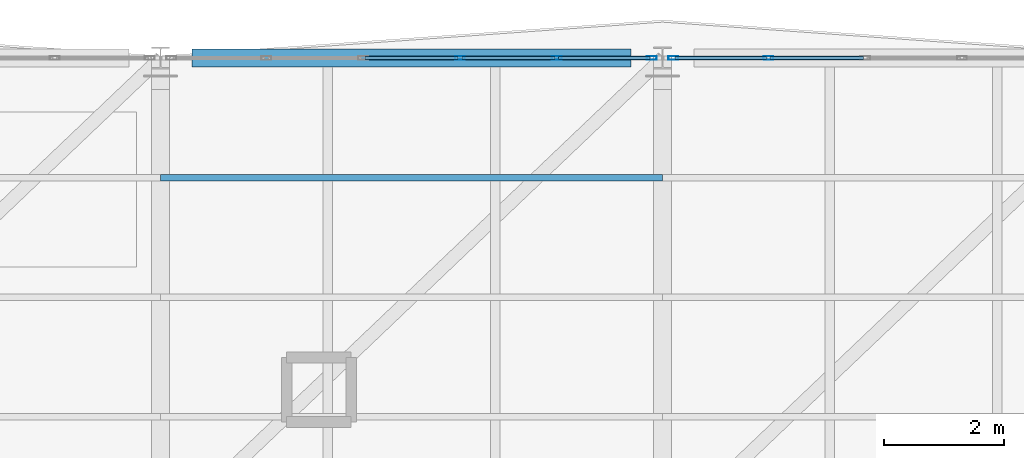
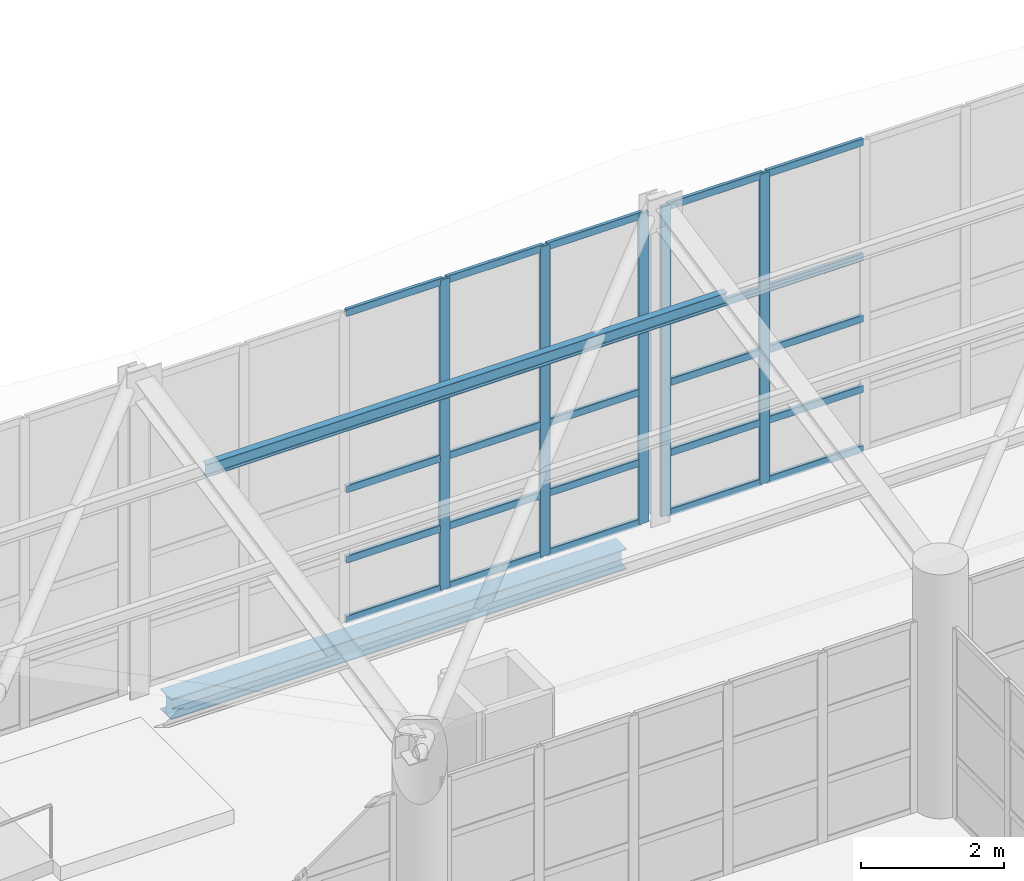
# One storey, part 103 of 177: 31 members, 1 beam, 2 elements without a shape of their own.
"""IFC4 building model written with IfcOpenShell, lengths in metres."""

from ifc_helpers import new_model, si_unit, direction, frame, origin, origin_2d, place, context, subcontext, project, spatial, hollow_rectangle, i_section, extrude, material, layer, layer_set, material_profile, profile_set, type_object, element, aggregate, save


model = new_model("IFC4")

# Units and contexts
model_context = context("Model", 3, precision=1e-05, world=origin(), true_north=direction((0.0, 1.0)))
body_context = subcontext(model_context, "Body", "Model", "MODEL_VIEW")
ifc_project = project(units=[si_unit("LENGTHUNIT", "METRE"), si_unit("AREAUNIT", "SQUARE_METRE"), si_unit("VOLUMEUNIT", "CUBIC_METRE"), si_unit("PLANEANGLEUNIT", "RADIAN"), si_unit("MASSUNIT", "GRAM", prefix="KILO"), si_unit("THERMODYNAMICTEMPERATUREUNIT", "KELVIN"), si_unit("POWERUNIT", "WATT")], contexts=[model_context])

# Site, building, storey
site_placement = place(None, origin())
site = spatial("IfcSite", under=ifc_project, at=site_placement, CompositionType="ELEMENT")
building_placement = place(site_placement, origin())
building = spatial("IfcBuilding", under=site, at=building_placement, Name="Mavoryth Pier Ferry Terminal", CompositionType="ELEMENT")
storey_placement = place(building_placement, frame((0.0, 0.0, 5.43994140625)))
storey = spatial("IfcBuildingStorey", under=building, at=storey_placement, Name="L01", CompositionType="ELEMENT", Elevation=5.43994140625)

# Curtain wall, members
ifc_material_1 = material(Name="Anodised Aluminium and Solar-Control Low-E Glass", Category="aluminium")
ifc_layer = layer(ifc_material_1, 0.139892578125, Name="Anodised Aluminium and Solar-Control Low-E Glass", Category="aluminium")
ifc_layer_set = layer_set([ifc_layer], Name="Anodised Aluminium and Solar-Control Low-E Glass - CW-Gallery-Mod1600")
curtain_wall_type = type_object("IfcCurtainWallType", Name="CW-Gallery-Mod1600", PredefinedType="USERDEFINED", material=ifc_layer_set)
curtain_wall_1_placement = place(storey_placement, origin())
curtain_wall_1 = element("IfcCurtainWall", 1, at=curtain_wall_1_placement, inside=storey, type_object=curtain_wall_type, Name="Curtain Wall CW-0122-081", ObjectType="UNITISED CURTAIN WALL", PredefinedType="USERDEFINED")
ifc_material_2 = material(Name="Anodised Aluminium EN AW-6063", Category="aluminium")
ifc_material_profile_1 = material_profile(ifc_material_2, hollow_rectangle(XDim=0.06005859375, YDim=0.1650390625, WallThickness=0.00390625, InnerFilletRadius=0.00390625, OuterFilletRadius=0.008056640625, at=origin_2d()), Name="AL-MULL 165x60x4", Category="aluminium")
ifc_profile_set_1 = profile_set([ifc_material_profile_1], Name="Anodised Aluminium EN AW-6063 - AL-MULL 165x60x4")
member_type_1 = type_object("IfcMemberType", Name="Mullion-Alum-165x60", PredefinedType="MULLION", material=ifc_profile_set_1)
member_1_placement = place(storey_placement, frame((92.219970703125, 114.0, 0.0), z_axis=(0.0, 0.0, 1.0), x_axis=(0.0, -1.0, 0.0)))
member_1 = element("IfcMember", 2, at=member_1_placement, type_object=member_type_1, Name="CW05 mullion 1", PredefinedType="MULLION", context=body_context, shape_type="SweptSolid", body=[
    extrude(hollow_rectangle(XDim=0.06005859375, YDim=0.1650390625, WallThickness=0.00390625, InnerFilletRadius=0.00390625, OuterFilletRadius=0.008056640625, at=origin_2d()), origin(), (0.0, 0.0, 1.0), 5.28759765625),
])
member_2_placement = place(storey_placement, frame((90.6298828125, 114.0, 0.0), z_axis=(0.0, 0.0, 1.0), x_axis=(0.0, -1.0, 0.0)))
member_2 = element("IfcMember", 3, at=member_2_placement, type_object=member_type_1, Name="CW05 mullion 2", PredefinedType="MULLION", context=body_context, shape_type="SweptSolid", body=[
    extrude(hollow_rectangle(XDim=0.06005859375, YDim=0.1650390625, WallThickness=0.00390625, InnerFilletRadius=0.00390625, OuterFilletRadius=0.008056640625, at=origin_2d()), origin(), (0.0, 0.0, 1.0), 5.28759765625),
])
member_3_placement = place(storey_placement, frame((89.010009765625, 114.0, 0.0), z_axis=(0.0, 0.0, 1.0), x_axis=(0.0, -1.0, 0.0)))
member_3 = element("IfcMember", 4, at=member_3_placement, type_object=member_type_1, Name="CW05 mullion 3", PredefinedType="MULLION", context=body_context, shape_type="SweptSolid", body=[
    extrude(hollow_rectangle(XDim=0.06005859375, YDim=0.1650390625, WallThickness=0.00390625, InnerFilletRadius=0.00390625, OuterFilletRadius=0.008056640625, at=origin_2d()), origin(), (0.0, 0.0, 1.0), 5.28759765625),
])

curtain_wall_2_placement = place(storey_placement, origin())
curtain_wall_2 = element("IfcCurtainWall", 5, at=curtain_wall_2_placement, inside=storey, type_object=curtain_wall_type, Name="Curtain Wall CW-0122-082", ObjectType="UNITISED CURTAIN WALL", PredefinedType="USERDEFINED")
member_4_placement = place(storey_placement, frame((94.169921875, 114.0, 0.0), z_axis=(0.0, 0.0, 1.0), x_axis=(0.0, -1.0, 0.0)))
member_4 = element("IfcMember", 6, at=member_4_placement, type_object=member_type_1, Name="CW05 mullion 5", PredefinedType="MULLION", context=body_context, shape_type="SweptSolid", body=[
    extrude(hollow_rectangle(XDim=0.06005859375, YDim=0.1650390625, WallThickness=0.00390625, InnerFilletRadius=0.00390625, OuterFilletRadius=0.008056640625, at=origin_2d()), origin(), (0.0, 0.0, 1.0), 5.28759765625),
])
member_5_placement = place(storey_placement, frame((92.580078125, 114.0, 0.0), z_axis=(0.0, 0.0, 1.0), x_axis=(0.0, -1.0, 0.0)))
member_5 = element("IfcMember", 7, at=member_5_placement, type_object=member_type_1, Name="CW05 mullion 6", PredefinedType="MULLION", context=body_context, shape_type="SweptSolid", body=[
    extrude(hollow_rectangle(XDim=0.06005859375, YDim=0.1650390625, WallThickness=0.00390625, InnerFilletRadius=0.00390625, OuterFilletRadius=0.008056640625, at=origin_2d()), origin(), (0.0, 0.0, 1.0), 5.28759765625),
])

# Member
ifc_material_3 = material(Name="Steel S355J2", Category="steel")
ifc_material_profile_2 = material_profile(ifc_material_3, i_section(OverallWidth=0.110107421875, OverallDepth=0.219970703125, WebThickness=0.005859375, FlangeThickness=0.00927734375, FilletRadius=0.011962890625, at=origin_2d()), Name="IPE 220", Category="steel")
ifc_profile_set_2 = profile_set([ifc_material_profile_2], Name="Steel S355J2 - IPE 220")
member_type_2 = type_object("IfcMemberType", Name="Purlin-Roof-IPE220", PredefinedType="PURLIN", material=ifc_profile_set_2)
member_6_placement = place(storey_placement, frame((84.0, 112.0, 4.991943359375), z_axis=(1.0, 0.0, 0.0), x_axis=(0.0, 1.0, 0.0)))
element("IfcMember", 8, at=member_6_placement, inside=storey, type_object=member_type_2, Name="Steel Member MB-L01-0268", PredefinedType="PURLIN", context=body_context, shape_type="SweptSolid", body=[
    extrude(i_section(OverallWidth=0.110107421875, OverallDepth=0.219970703125, WebThickness=0.005859375, FlangeThickness=0.00927734375, FilletRadius=0.011962890625, at=origin_2d()), origin(), (0.0, 0.0, 1.0), 8.39990234375),
])

# Beam
ifc_material_profile_3 = material_profile(ifc_material_3, i_section(OverallWidth=0.300048828125, OverallDepth=0.35009765625, WebThickness=0.010009765625, FlangeThickness=0.017578125, FilletRadius=0.027099609375, at=origin_2d()), Name="HEA 360", Category="steel")
ifc_profile_set_3 = profile_set([ifc_material_profile_3], Name="Steel S355J2 - HEA 360")
beam_type = type_object("IfcBeamType", Name="Spandrel-Steel-HEA360", PredefinedType="SPANDREL", material=ifc_profile_set_3)
beam_placement = place(storey_placement, frame((84.52490234375, 114.0, -0.4150390625), z_axis=(1.0, 0.0, 0.0), x_axis=(0.0, 1.0, 0.0)))
element("IfcBeam", 9, at=beam_placement, inside=storey, type_object=beam_type, Name="Beam B01-SP03-0270", PredefinedType="SPANDREL", context=body_context, shape_type="SweptSolid", body=[
    extrude(i_section(OverallWidth=0.300048828125, OverallDepth=0.35009765625, WebThickness=0.010009765625, FlangeThickness=0.017578125, FilletRadius=0.027099609375, at=origin_2d()), origin(), (0.0, 0.0, 1.0), 7.35009765625),
])

# Member
ifc_material_profile_4 = material_profile(ifc_material_2, hollow_rectangle(XDim=0.06005859375, YDim=0.125, WallThickness=0.00390625, InnerFilletRadius=0.00390625, OuterFilletRadius=0.008056640625, at=origin_2d()), Name="AL-TRAN 125x60x4", Category="aluminium")
ifc_profile_set_4 = profile_set([ifc_material_profile_4], Name="Anodised Aluminium EN AW-6063 - AL-TRAN 125x60x4")
member_type_3 = type_object("IfcMemberType", Name="Transom-Alum-125x60", PredefinedType="USERDEFINED", material=ifc_profile_set_4)
member_7_placement = place(storey_placement, frame((92.18994140625, 114.0, 0.030029296875), z_axis=(-1.0, 0.0, 0.0), x_axis=(0.0, -1.0, 0.0)))
member_7 = element("IfcMember", 10, at=member_7_placement, type_object=member_type_3, Name="CW05 transom 1.1", ObjectType="TRANSOM", PredefinedType="USERDEFINED", context=body_context, shape_type="SweptSolid", body=[
    extrude(hollow_rectangle(XDim=0.06005859375, YDim=0.125, WallThickness=0.00390625, InnerFilletRadius=0.00390625, OuterFilletRadius=0.008056640625, at=origin_2d()), origin(), (0.0, 0.0, 1.0), 1.530029296875),
])

member_8_placement = place(storey_placement, frame((92.18994140625, 114.0, 1.050048828125), z_axis=(-1.0, 0.0, 0.0), x_axis=(0.0, -1.0, 0.0)))
member_8 = element("IfcMember", 11, at=member_8_placement, type_object=member_type_3, Name="CW05 transom 1.2", ObjectType="TRANSOM", PredefinedType="USERDEFINED", context=body_context, shape_type="SweptSolid", body=[
    extrude(hollow_rectangle(XDim=0.06005859375, YDim=0.125, WallThickness=0.00390625, InnerFilletRadius=0.00390625, OuterFilletRadius=0.008056640625, at=origin_2d()), origin(), (0.0, 0.0, 1.0), 1.530029296875),
])

member_9_placement = place(storey_placement, frame((92.18994140625, 114.0, 2.25), z_axis=(-1.0, 0.0, 0.0), x_axis=(0.0, -1.0, 0.0)))
member_9 = element("IfcMember", 12, at=member_9_placement, type_object=member_type_3, Name="CW05 transom 1.3", ObjectType="TRANSOM", PredefinedType="USERDEFINED", context=body_context, shape_type="SweptSolid", body=[
    extrude(hollow_rectangle(XDim=0.06005859375, YDim=0.125, WallThickness=0.00390625, InnerFilletRadius=0.00390625, OuterFilletRadius=0.008056640625, at=origin_2d()), origin(), (0.0, 0.0, 1.0), 1.530029296875),
])

member_10_placement = place(storey_placement, frame((92.18994140625, 114.0, 3.300048828125), z_axis=(-1.0, 0.0, 0.0), x_axis=(0.0, -1.0, 0.0)))
member_10 = element("IfcMember", 13, at=member_10_placement, type_object=member_type_3, Name="CW05 transom 1.4", ObjectType="TRANSOM", PredefinedType="USERDEFINED", context=body_context, shape_type="SweptSolid", body=[
    extrude(hollow_rectangle(XDim=0.06005859375, YDim=0.125, WallThickness=0.00390625, InnerFilletRadius=0.00390625, OuterFilletRadius=0.008056640625, at=origin_2d()), origin(), (0.0, 0.0, 1.0), 1.530029296875),
])

member_11_placement = place(storey_placement, frame((92.18994140625, 114.0, 5.257568359375), z_axis=(-1.0, 0.0, 0.0), x_axis=(0.0, -1.0, 0.0)))
member_11 = element("IfcMember", 14, at=member_11_placement, type_object=member_type_3, Name="CW05 transom 1.5", ObjectType="TRANSOM", PredefinedType="USERDEFINED", context=body_context, shape_type="SweptSolid", body=[
    extrude(hollow_rectangle(XDim=0.06005859375, YDim=0.125, WallThickness=0.00390625, InnerFilletRadius=0.00390625, OuterFilletRadius=0.008056640625, at=origin_2d()), origin(), (0.0, 0.0, 1.0), 1.530029296875),
])

member_12_placement = place(storey_placement, frame((90.60009765625, 114.0, 0.030029296875), z_axis=(-1.0, 0.0, 0.0), x_axis=(0.0, -1.0, 0.0)))
member_12 = element("IfcMember", 15, at=member_12_placement, type_object=member_type_3, Name="CW05 transom 2.1", ObjectType="TRANSOM", PredefinedType="USERDEFINED", context=body_context, shape_type="SweptSolid", body=[
    extrude(hollow_rectangle(XDim=0.06005859375, YDim=0.125, WallThickness=0.00390625, InnerFilletRadius=0.00390625, OuterFilletRadius=0.008056640625, at=origin_2d()), origin(), (0.0, 0.0, 1.0), 1.56005859375),
])

member_13_placement = place(storey_placement, frame((90.60009765625, 114.0, 1.050048828125), z_axis=(-1.0, 0.0, 0.0), x_axis=(0.0, -1.0, 0.0)))
member_13 = element("IfcMember", 16, at=member_13_placement, type_object=member_type_3, Name="CW05 transom 2.2", ObjectType="TRANSOM", PredefinedType="USERDEFINED", context=body_context, shape_type="SweptSolid", body=[
    extrude(hollow_rectangle(XDim=0.06005859375, YDim=0.125, WallThickness=0.00390625, InnerFilletRadius=0.00390625, OuterFilletRadius=0.008056640625, at=origin_2d()), origin(), (0.0, 0.0, 1.0), 1.56005859375),
])

member_14_placement = place(storey_placement, frame((90.60009765625, 114.0, 2.25), z_axis=(-1.0, 0.0, 0.0), x_axis=(0.0, -1.0, 0.0)))
member_14 = element("IfcMember", 17, at=member_14_placement, type_object=member_type_3, Name="CW05 transom 2.3", ObjectType="TRANSOM", PredefinedType="USERDEFINED", context=body_context, shape_type="SweptSolid", body=[
    extrude(hollow_rectangle(XDim=0.06005859375, YDim=0.125, WallThickness=0.00390625, InnerFilletRadius=0.00390625, OuterFilletRadius=0.008056640625, at=origin_2d()), origin(), (0.0, 0.0, 1.0), 1.56005859375),
])

member_15_placement = place(storey_placement, frame((90.60009765625, 114.0, 3.300048828125), z_axis=(-1.0, 0.0, 0.0), x_axis=(0.0, -1.0, 0.0)))
member_15 = element("IfcMember", 18, at=member_15_placement, type_object=member_type_3, Name="CW05 transom 2.4", ObjectType="TRANSOM", PredefinedType="USERDEFINED", context=body_context, shape_type="SweptSolid", body=[
    extrude(hollow_rectangle(XDim=0.06005859375, YDim=0.125, WallThickness=0.00390625, InnerFilletRadius=0.00390625, OuterFilletRadius=0.008056640625, at=origin_2d()), origin(), (0.0, 0.0, 1.0), 1.56005859375),
])

member_16_placement = place(storey_placement, frame((90.60009765625, 114.0, 5.257568359375), z_axis=(-1.0, 0.0, 0.0), x_axis=(0.0, -1.0, 0.0)))
member_16 = element("IfcMember", 19, at=member_16_placement, type_object=member_type_3, Name="CW05 transom 2.5", ObjectType="TRANSOM", PredefinedType="USERDEFINED", context=body_context, shape_type="SweptSolid", body=[
    extrude(hollow_rectangle(XDim=0.06005859375, YDim=0.125, WallThickness=0.00390625, InnerFilletRadius=0.00390625, OuterFilletRadius=0.008056640625, at=origin_2d()), origin(), (0.0, 0.0, 1.0), 1.56005859375),
])

member_17_placement = place(storey_placement, frame((88.97998046875, 114.0, 0.030029296875), z_axis=(-1.0, 0.0, 0.0), x_axis=(0.0, -1.0, 0.0)))
member_17 = element("IfcMember", 20, at=member_17_placement, type_object=member_type_3, Name="CW05 transom 3.1", ObjectType="TRANSOM", PredefinedType="USERDEFINED", context=body_context, shape_type="SweptSolid", body=[
    extrude(hollow_rectangle(XDim=0.06005859375, YDim=0.125, WallThickness=0.00390625, InnerFilletRadius=0.00390625, OuterFilletRadius=0.008056640625, at=origin_2d()), origin(), (0.0, 0.0, 1.0), 1.56005859375),
])

member_18_placement = place(storey_placement, frame((88.97998046875, 114.0, 1.050048828125), z_axis=(-1.0, 0.0, 0.0), x_axis=(0.0, -1.0, 0.0)))
member_18 = element("IfcMember", 21, at=member_18_placement, type_object=member_type_3, Name="CW05 transom 3.2", ObjectType="TRANSOM", PredefinedType="USERDEFINED", context=body_context, shape_type="SweptSolid", body=[
    extrude(hollow_rectangle(XDim=0.06005859375, YDim=0.125, WallThickness=0.00390625, InnerFilletRadius=0.00390625, OuterFilletRadius=0.008056640625, at=origin_2d()), origin(), (0.0, 0.0, 1.0), 1.56005859375),
])

member_19_placement = place(storey_placement, frame((88.97998046875, 114.0, 2.25), z_axis=(-1.0, 0.0, 0.0), x_axis=(0.0, -1.0, 0.0)))
member_19 = element("IfcMember", 22, at=member_19_placement, type_object=member_type_3, Name="CW05 transom 3.3", ObjectType="TRANSOM", PredefinedType="USERDEFINED", context=body_context, shape_type="SweptSolid", body=[
    extrude(hollow_rectangle(XDim=0.06005859375, YDim=0.125, WallThickness=0.00390625, InnerFilletRadius=0.00390625, OuterFilletRadius=0.008056640625, at=origin_2d()), origin(), (0.0, 0.0, 1.0), 1.56005859375),
])

member_20_placement = place(storey_placement, frame((88.97998046875, 114.0, 3.300048828125), z_axis=(-1.0, 0.0, 0.0), x_axis=(0.0, -1.0, 0.0)))
member_20 = element("IfcMember", 23, at=member_20_placement, type_object=member_type_3, Name="CW05 transom 3.4", ObjectType="TRANSOM", PredefinedType="USERDEFINED", context=body_context, shape_type="SweptSolid", body=[
    extrude(hollow_rectangle(XDim=0.06005859375, YDim=0.125, WallThickness=0.00390625, InnerFilletRadius=0.00390625, OuterFilletRadius=0.008056640625, at=origin_2d()), origin(), (0.0, 0.0, 1.0), 1.56005859375),
])

member_21_placement = place(storey_placement, frame((88.97998046875, 114.0, 5.257568359375), z_axis=(-1.0, 0.0, 0.0), x_axis=(0.0, -1.0, 0.0)))
member_21 = element("IfcMember", 24, at=member_21_placement, type_object=member_type_3, Name="CW05 transom 3.5", ObjectType="TRANSOM", PredefinedType="USERDEFINED", context=body_context, shape_type="SweptSolid", body=[
    extrude(hollow_rectangle(XDim=0.06005859375, YDim=0.125, WallThickness=0.00390625, InnerFilletRadius=0.00390625, OuterFilletRadius=0.008056640625, at=origin_2d()), origin(), (0.0, 0.0, 1.0), 1.56005859375),
])

aggregate(curtain_wall_1, [member_1, member_2, member_3, member_7, member_8, member_9, member_10, member_11, member_12, member_13, member_14, member_15, member_16, member_17, member_18, member_19, member_20, member_21])

member_22_placement = place(storey_placement, frame((95.760009765625, 114.0, 0.030029296875), z_axis=(-1.0, 0.0, 0.0), x_axis=(0.0, -1.0, 0.0)))
member_22 = element("IfcMember", 25, at=member_22_placement, type_object=member_type_3, Name="CW05 transom 4.1", ObjectType="TRANSOM", PredefinedType="USERDEFINED", context=body_context, shape_type="SweptSolid", body=[
    extrude(hollow_rectangle(XDim=0.06005859375, YDim=0.125, WallThickness=0.00390625, InnerFilletRadius=0.00390625, OuterFilletRadius=0.008056640625, at=origin_2d()), origin(), (0.0, 0.0, 1.0), 1.56005859375),
])

member_23_placement = place(storey_placement, frame((95.760009765625, 114.0, 1.050048828125), z_axis=(-1.0, 0.0, 0.0), x_axis=(0.0, -1.0, 0.0)))
member_23 = element("IfcMember", 26, at=member_23_placement, type_object=member_type_3, Name="CW05 transom 4.2", ObjectType="TRANSOM", PredefinedType="USERDEFINED", context=body_context, shape_type="SweptSolid", body=[
    extrude(hollow_rectangle(XDim=0.06005859375, YDim=0.125, WallThickness=0.00390625, InnerFilletRadius=0.00390625, OuterFilletRadius=0.008056640625, at=origin_2d()), origin(), (0.0, 0.0, 1.0), 1.56005859375),
])

member_24_placement = place(storey_placement, frame((95.760009765625, 114.0, 2.25), z_axis=(-1.0, 0.0, 0.0), x_axis=(0.0, -1.0, 0.0)))
member_24 = element("IfcMember", 27, at=member_24_placement, type_object=member_type_3, Name="CW05 transom 4.3", ObjectType="TRANSOM", PredefinedType="USERDEFINED", context=body_context, shape_type="SweptSolid", body=[
    extrude(hollow_rectangle(XDim=0.06005859375, YDim=0.125, WallThickness=0.00390625, InnerFilletRadius=0.00390625, OuterFilletRadius=0.008056640625, at=origin_2d()), origin(), (0.0, 0.0, 1.0), 1.56005859375),
])

member_25_placement = place(storey_placement, frame((95.760009765625, 114.0, 3.300048828125), z_axis=(-1.0, 0.0, 0.0), x_axis=(0.0, -1.0, 0.0)))
member_25 = element("IfcMember", 28, at=member_25_placement, type_object=member_type_3, Name="CW05 transom 4.4", ObjectType="TRANSOM", PredefinedType="USERDEFINED", context=body_context, shape_type="SweptSolid", body=[
    extrude(hollow_rectangle(XDim=0.06005859375, YDim=0.125, WallThickness=0.00390625, InnerFilletRadius=0.00390625, OuterFilletRadius=0.008056640625, at=origin_2d()), origin(), (0.0, 0.0, 1.0), 1.56005859375),
])

member_26_placement = place(storey_placement, frame((95.760009765625, 114.0, 5.257568359375), z_axis=(-1.0, 0.0, 0.0), x_axis=(0.0, -1.0, 0.0)))
member_26 = element("IfcMember", 29, at=member_26_placement, type_object=member_type_3, Name="CW05 transom 4.5", ObjectType="TRANSOM", PredefinedType="USERDEFINED", context=body_context, shape_type="SweptSolid", body=[
    extrude(hollow_rectangle(XDim=0.06005859375, YDim=0.125, WallThickness=0.00390625, InnerFilletRadius=0.00390625, OuterFilletRadius=0.008056640625, at=origin_2d()), origin(), (0.0, 0.0, 1.0), 1.56005859375),
])

member_27_placement = place(storey_placement, frame((94.139892578125, 114.0, 0.030029296875), z_axis=(-1.0, 0.0, 0.0), x_axis=(0.0, -1.0, 0.0)))
member_27 = element("IfcMember", 30, at=member_27_placement, type_object=member_type_3, Name="CW05 transom 5.1", ObjectType="TRANSOM", PredefinedType="USERDEFINED", context=body_context, shape_type="SweptSolid", body=[
    extrude(hollow_rectangle(XDim=0.06005859375, YDim=0.125, WallThickness=0.00390625, InnerFilletRadius=0.00390625, OuterFilletRadius=0.008056640625, at=origin_2d()), origin(), (0.0, 0.0, 1.0), 1.52978515625),
])

member_28_placement = place(storey_placement, frame((94.139892578125, 114.0, 1.050048828125), z_axis=(-1.0, 0.0, 0.0), x_axis=(0.0, -1.0, 0.0)))
member_28 = element("IfcMember", 31, at=member_28_placement, type_object=member_type_3, Name="CW05 transom 5.2", ObjectType="TRANSOM", PredefinedType="USERDEFINED", context=body_context, shape_type="SweptSolid", body=[
    extrude(hollow_rectangle(XDim=0.06005859375, YDim=0.125, WallThickness=0.00390625, InnerFilletRadius=0.00390625, OuterFilletRadius=0.008056640625, at=origin_2d()), origin(), (0.0, 0.0, 1.0), 1.52978515625),
])

member_29_placement = place(storey_placement, frame((94.139892578125, 114.0, 2.25), z_axis=(-1.0, 0.0, 0.0), x_axis=(0.0, -1.0, 0.0)))
member_29 = element("IfcMember", 32, at=member_29_placement, type_object=member_type_3, Name="CW05 transom 5.3", ObjectType="TRANSOM", PredefinedType="USERDEFINED", context=body_context, shape_type="SweptSolid", body=[
    extrude(hollow_rectangle(XDim=0.06005859375, YDim=0.125, WallThickness=0.00390625, InnerFilletRadius=0.00390625, OuterFilletRadius=0.008056640625, at=origin_2d()), origin(), (0.0, 0.0, 1.0), 1.52978515625),
])

member_30_placement = place(storey_placement, frame((94.139892578125, 114.0, 3.300048828125), z_axis=(-1.0, 0.0, 0.0), x_axis=(0.0, -1.0, 0.0)))
member_30 = element("IfcMember", 33, at=member_30_placement, type_object=member_type_3, Name="CW05 transom 5.4", ObjectType="TRANSOM", PredefinedType="USERDEFINED", context=body_context, shape_type="SweptSolid", body=[
    extrude(hollow_rectangle(XDim=0.06005859375, YDim=0.125, WallThickness=0.00390625, InnerFilletRadius=0.00390625, OuterFilletRadius=0.008056640625, at=origin_2d()), origin(), (0.0, 0.0, 1.0), 1.52978515625),
])

member_31_placement = place(storey_placement, frame((94.139892578125, 114.0, 5.257568359375), z_axis=(-1.0, 0.0, 0.0), x_axis=(0.0, -1.0, 0.0)))
member_31 = element("IfcMember", 34, at=member_31_placement, type_object=member_type_3, Name="CW05 transom 5.5", ObjectType="TRANSOM", PredefinedType="USERDEFINED", context=body_context, shape_type="SweptSolid", body=[
    extrude(hollow_rectangle(XDim=0.06005859375, YDim=0.125, WallThickness=0.00390625, InnerFilletRadius=0.00390625, OuterFilletRadius=0.008056640625, at=origin_2d()), origin(), (0.0, 0.0, 1.0), 1.52978515625),
])

aggregate(curtain_wall_2, [member_4, member_5, member_22, member_23, member_24, member_25, member_26, member_27, member_28, member_29, member_30, member_31])

save(model, "model.ifc")
